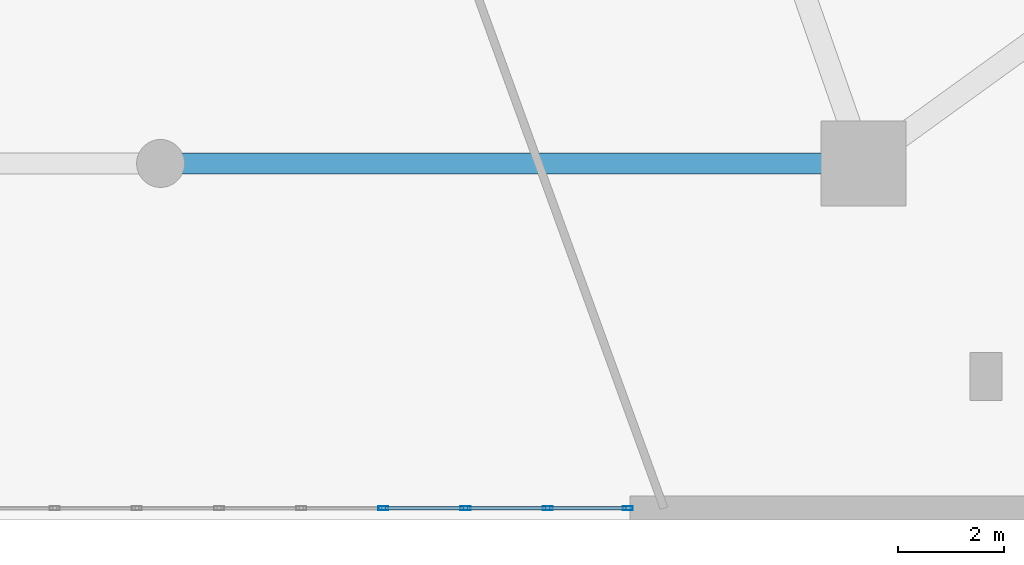
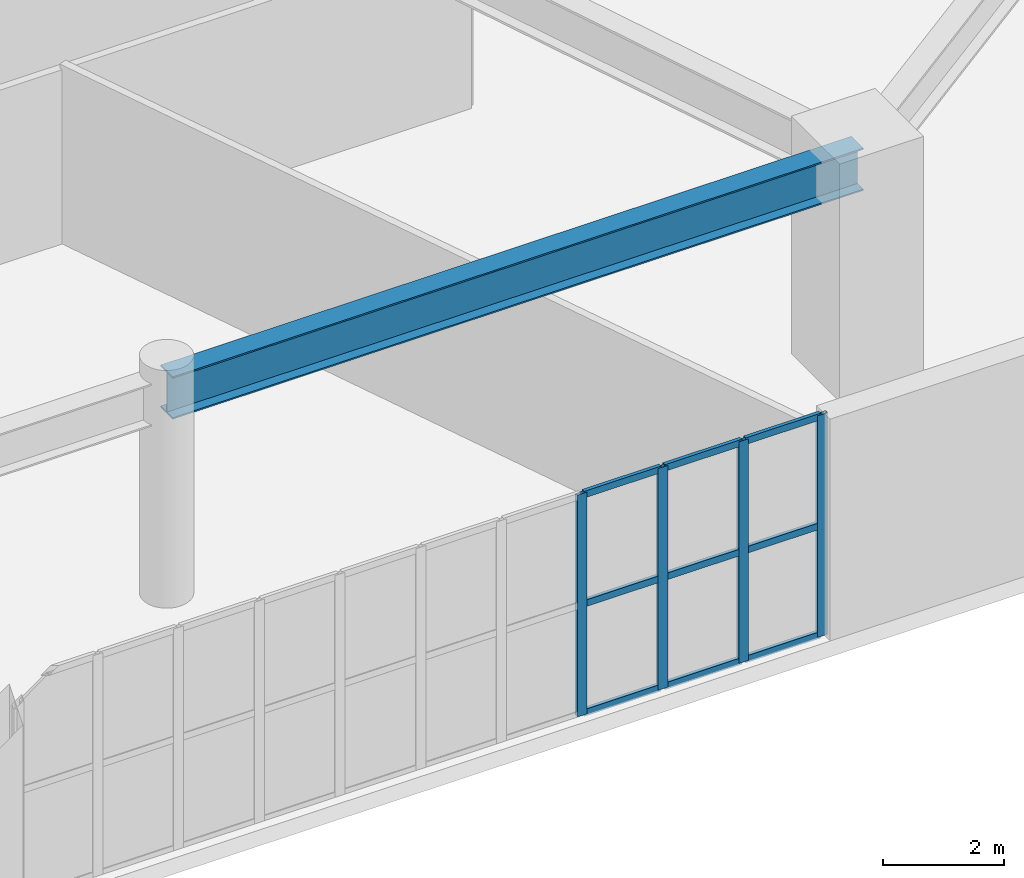
# One storey, part 5 of 15: 13 members, 1 beam, 1 element without a shape of its own.
"""IFC4 building model written with IfcOpenShell, lengths in metres."""

from ifc_helpers import new_model, si_unit, direction, frame, origin, origin_2d, place, context, subcontext, project, spatial, hollow_rectangle, i_section, extrude, material, layer, layer_set, material_profile, profile_set, type_object, element, aggregate, save


model = new_model("IFC4")

# Units and contexts
model_context = context("Model", 3, precision=1e-05, world=origin(), true_north=direction((0.0, 1.0)))
body_context = subcontext(model_context, "Body", "Model", "MODEL_VIEW")
ifc_project = project(units=[si_unit("LENGTHUNIT", "METRE"), si_unit("AREAUNIT", "SQUARE_METRE"), si_unit("VOLUMEUNIT", "CUBIC_METRE"), si_unit("PLANEANGLEUNIT", "RADIAN"), si_unit("MASSUNIT", "GRAM", prefix="KILO")], contexts=[model_context])

# Site, building, storey
site_placement = place(None, origin())
site = spatial("IfcSite", under=ifc_project, at=site_placement, CompositionType="ELEMENT")
building_placement = place(site_placement, origin())
building = spatial("IfcBuilding", under=site, at=building_placement, Name="Kilnhurst Terrace Hotel", CompositionType="ELEMENT")
storey_placement = place(building_placement, frame((0.0, 0.0, 23.39990234375)))
storey = spatial("IfcBuildingStorey", under=building, at=storey_placement, Name="L04", CompositionType="ELEMENT", Elevation=23.39990234375)

# Beam
ifc_material_1 = material(Name="Steel ASTM A992 Grade 50", Category="steel")
ifc_material_profile_1 = material_profile(ifc_material_1, i_section(OverallWidth=0.39990234375, OverallDepth=0.85546875, WebThickness=0.018310546875, FlangeThickness=0.029296875, at=origin_2d()), Name="W33X201")
ifc_profile_set_1 = profile_set([ifc_material_profile_1], Name="Steel ASTM A992 Grade 50")
beam_type = type_object("IfcBeamType", Name="BM-STL-W33X201", PredefinedType="BEAM", material=ifc_profile_set_1)
beam_placement = place(storey_placement, frame((0.0, -19.5, 4.050048828125), z_axis=(1.0, 0.0, 0.0), x_axis=(0.0, 1.0, 0.0)))
element("IfcBeam", 1, at=beam_placement, inside=storey, type_object=beam_type, Name="L04 Meeting Suite Frame Beam 2", PredefinedType="BEAM", context=body_context, shape_type="SweptSolid", body=[
    extrude(i_section(OverallWidth=0.39990234375, OverallDepth=0.85546875, WebThickness=0.018310546875, FlangeThickness=0.029296875, at=origin_2d()), origin(), (0.0, 0.0, 1.0), 13.199951171875),
])

# Curtain wall, members
ifc_material_2 = material(Name="Anodized Aluminium Alloy 6063-T6 and Low-E Glass", Category="aluminium")
ifc_layer = layer(ifc_material_2, 0.219970703125, Name="Anodized Aluminium Alloy 6063-T6 and Low-E Glass")
ifc_layer_set = layer_set([ifc_layer], Name="Anodized Aluminium Alloy 6063-T6 and Low-E Glass")
curtain_wall_type = type_object("IfcCurtainWallType", Name="CW-POD-TERR", PredefinedType="NOTDEFINED", material=ifc_layer_set)
curtain_wall_placement = place(storey_placement, origin())
curtain_wall = element("IfcCurtainWall", 2, at=curtain_wall_placement, inside=storey, type_object=curtain_wall_type, Name="L04 Curtain Wall CW-L04-F1-1", PredefinedType="NOTDEFINED")
ifc_material_3 = material(Name="Extruded Aluminium Alloy 6063-T6", Category="aluminium")
ifc_material_profile_2 = material_profile(ifc_material_3, hollow_rectangle(XDim=0.070068359375, YDim=0.18994140625, WallThickness=0.00390625, at=origin_2d()), Name="CWM70X190")
ifc_profile_set_2 = profile_set([ifc_material_profile_2], Name="Extruded Aluminium Alloy 6063-T6")
member_type_1 = type_object("IfcMemberType", Name="MEM-CWM70X190", PredefinedType="MULLION", material=ifc_profile_set_2)
member_1_placement = place(storey_placement, frame((4.18408203125, -25.97509765625, 0.0), z_axis=(0.0, 0.0, 1.0), x_axis=(0.0, 1.0, 0.0)))
member_1 = element("IfcMember", 3, at=member_1_placement, type_object=member_type_1, Name="CWT-2 mullion 8", PredefinedType="MULLION", context=body_context, shape_type="SweptSolid", body=[
    extrude(hollow_rectangle(XDim=0.070068359375, YDim=0.18994140625, WallThickness=0.00390625, at=origin_2d()), origin(), (0.0, 0.0, 1.0), 4.47998046875),
])
member_2_placement = place(storey_placement, frame((5.726806640625, -25.97509765625, 0.0), z_axis=(0.0, 0.0, 1.0), x_axis=(0.0, 1.0, 0.0)))
member_2 = element("IfcMember", 4, at=member_2_placement, type_object=member_type_1, Name="CWT-2 mullion 9", PredefinedType="MULLION", context=body_context, shape_type="SweptSolid", body=[
    extrude(hollow_rectangle(XDim=0.070068359375, YDim=0.18994140625, WallThickness=0.00390625, at=origin_2d()), origin(), (0.0, 0.0, 1.0), 4.47998046875),
])
member_3_placement = place(storey_placement, frame((7.26953125, -25.97509765625, 0.0), z_axis=(0.0, 0.0, 1.0), x_axis=(0.0, 1.0, 0.0)))
member_3 = element("IfcMember", 5, at=member_3_placement, type_object=member_type_1, Name="CWT-2 mullion 10", PredefinedType="MULLION", context=body_context, shape_type="SweptSolid", body=[
    extrude(hollow_rectangle(XDim=0.070068359375, YDim=0.18994140625, WallThickness=0.00390625, at=origin_2d()), origin(), (0.0, 0.0, 1.0), 4.47998046875),
])
member_4_placement = place(storey_placement, frame((8.77734375, -25.97509765625, 0.0), z_axis=(0.0, 0.0, 1.0), x_axis=(0.0, 1.0, 0.0)))
member_4 = element("IfcMember", 6, at=member_4_placement, type_object=member_type_1, Name="CWT-2 mullion 11", PredefinedType="MULLION", context=body_context, shape_type="SweptSolid", body=[
    extrude(hollow_rectangle(XDim=0.070068359375, YDim=0.18994140625, WallThickness=0.00390625, at=origin_2d()), origin(), (0.0, 0.0, 1.0), 4.47998046875),
])
ifc_material_profile_3 = material_profile(ifc_material_3, hollow_rectangle(XDim=0.070068359375, YDim=0.135009765625, WallThickness=0.00390625, at=origin_2d()), Name="CWT70X135")
ifc_profile_set_3 = profile_set([ifc_material_profile_3], Name="Extruded Aluminium Alloy 6063-T6")
member_type_2 = type_object("IfcMemberType", Name="MEM-CWT70X135", PredefinedType="USERDEFINED", material=ifc_profile_set_3)
member_5_placement = place(storey_placement, frame((4.21923828125, -25.97509765625, 0.03515625), z_axis=(1.0, 0.0, 0.0), x_axis=(0.0, 1.0, 0.0)))
member_5 = element("IfcMember", 7, at=member_5_placement, type_object=member_type_2, Name="CWT-2 transom 8.1", ObjectType="TRANSOM", PredefinedType="USERDEFINED", context=body_context, shape_type="SweptSolid", body=[
    extrude(hollow_rectangle(XDim=0.070068359375, YDim=0.135009765625, WallThickness=0.00390625, at=origin_2d()), origin(), (0.0, 0.0, 1.0), 1.47265625),
])
member_6_placement = place(storey_placement, frame((4.21923828125, -25.97509765625, 2.239990234375), z_axis=(1.0, 0.0, 0.0), x_axis=(0.0, 1.0, 0.0)))
member_6 = element("IfcMember", 8, at=member_6_placement, type_object=member_type_2, Name="CWT-2 transom 8.2", ObjectType="TRANSOM", PredefinedType="USERDEFINED", context=body_context, shape_type="SweptSolid", body=[
    extrude(hollow_rectangle(XDim=0.070068359375, YDim=0.135009765625, WallThickness=0.00390625, at=origin_2d()), origin(), (0.0, 0.0, 1.0), 1.47265625),
])
member_7_placement = place(storey_placement, frame((4.21923828125, -25.97509765625, 4.445068359375), z_axis=(1.0, 0.0, 0.0), x_axis=(0.0, 1.0, 0.0)))
member_7 = element("IfcMember", 9, at=member_7_placement, type_object=member_type_2, Name="CWT-2 transom 8.3", ObjectType="TRANSOM", PredefinedType="USERDEFINED", context=body_context, shape_type="SweptSolid", body=[
    extrude(hollow_rectangle(XDim=0.070068359375, YDim=0.135009765625, WallThickness=0.00390625, at=origin_2d()), origin(), (0.0, 0.0, 1.0), 1.47265625),
])
member_8_placement = place(storey_placement, frame((5.761962890625, -25.97509765625, 0.03515625), z_axis=(1.0, 0.0, 0.0), x_axis=(0.0, 1.0, 0.0)))
member_8 = element("IfcMember", 10, at=member_8_placement, type_object=member_type_2, Name="CWT-2 transom 9.1", ObjectType="TRANSOM", PredefinedType="USERDEFINED", context=body_context, shape_type="SweptSolid", body=[
    extrude(hollow_rectangle(XDim=0.070068359375, YDim=0.135009765625, WallThickness=0.00390625, at=origin_2d()), origin(), (0.0, 0.0, 1.0), 1.47265625),
])
member_9_placement = place(storey_placement, frame((5.761962890625, -25.97509765625, 2.239990234375), z_axis=(1.0, 0.0, 0.0), x_axis=(0.0, 1.0, 0.0)))
member_9 = element("IfcMember", 11, at=member_9_placement, type_object=member_type_2, Name="CWT-2 transom 9.2", ObjectType="TRANSOM", PredefinedType="USERDEFINED", context=body_context, shape_type="SweptSolid", body=[
    extrude(hollow_rectangle(XDim=0.070068359375, YDim=0.135009765625, WallThickness=0.00390625, at=origin_2d()), origin(), (0.0, 0.0, 1.0), 1.47265625),
])
member_10_placement = place(storey_placement, frame((5.761962890625, -25.97509765625, 4.445068359375), z_axis=(1.0, 0.0, 0.0), x_axis=(0.0, 1.0, 0.0)))
member_10 = element("IfcMember", 12, at=member_10_placement, type_object=member_type_2, Name="CWT-2 transom 9.3", ObjectType="TRANSOM", PredefinedType="USERDEFINED", context=body_context, shape_type="SweptSolid", body=[
    extrude(hollow_rectangle(XDim=0.070068359375, YDim=0.135009765625, WallThickness=0.00390625, at=origin_2d()), origin(), (0.0, 0.0, 1.0), 1.47265625),
])
member_11_placement = place(storey_placement, frame((7.3046875, -25.97509765625, 0.03515625), z_axis=(1.0, 0.0, 0.0), x_axis=(0.0, 1.0, 0.0)))
member_11 = element("IfcMember", 13, at=member_11_placement, type_object=member_type_2, Name="CWT-2 transom 10.1", ObjectType="TRANSOM", PredefinedType="USERDEFINED", context=body_context, shape_type="SweptSolid", body=[
    extrude(hollow_rectangle(XDim=0.070068359375, YDim=0.135009765625, WallThickness=0.00390625, at=origin_2d()), origin(), (0.0, 0.0, 1.0), 1.4375),
])
member_12_placement = place(storey_placement, frame((7.3046875, -25.97509765625, 2.239990234375), z_axis=(1.0, 0.0, 0.0), x_axis=(0.0, 1.0, 0.0)))
member_12 = element("IfcMember", 14, at=member_12_placement, type_object=member_type_2, Name="CWT-2 transom 10.2", ObjectType="TRANSOM", PredefinedType="USERDEFINED", context=body_context, shape_type="SweptSolid", body=[
    extrude(hollow_rectangle(XDim=0.070068359375, YDim=0.135009765625, WallThickness=0.00390625, at=origin_2d()), origin(), (0.0, 0.0, 1.0), 1.4375),
])
member_13_placement = place(storey_placement, frame((7.3046875, -25.97509765625, 4.445068359375), z_axis=(1.0, 0.0, 0.0), x_axis=(0.0, 1.0, 0.0)))
member_13 = element("IfcMember", 15, at=member_13_placement, type_object=member_type_2, Name="CWT-2 transom 10.3", ObjectType="TRANSOM", PredefinedType="USERDEFINED", context=body_context, shape_type="SweptSolid", body=[
    extrude(hollow_rectangle(XDim=0.070068359375, YDim=0.135009765625, WallThickness=0.00390625, at=origin_2d()), origin(), (0.0, 0.0, 1.0), 1.4375),
])
aggregate(curtain_wall, [member_1, member_2, member_3, member_4, member_5, member_6, member_7, member_8, member_9, member_10, member_11, member_12, member_13])

save(model, "model.ifc")
